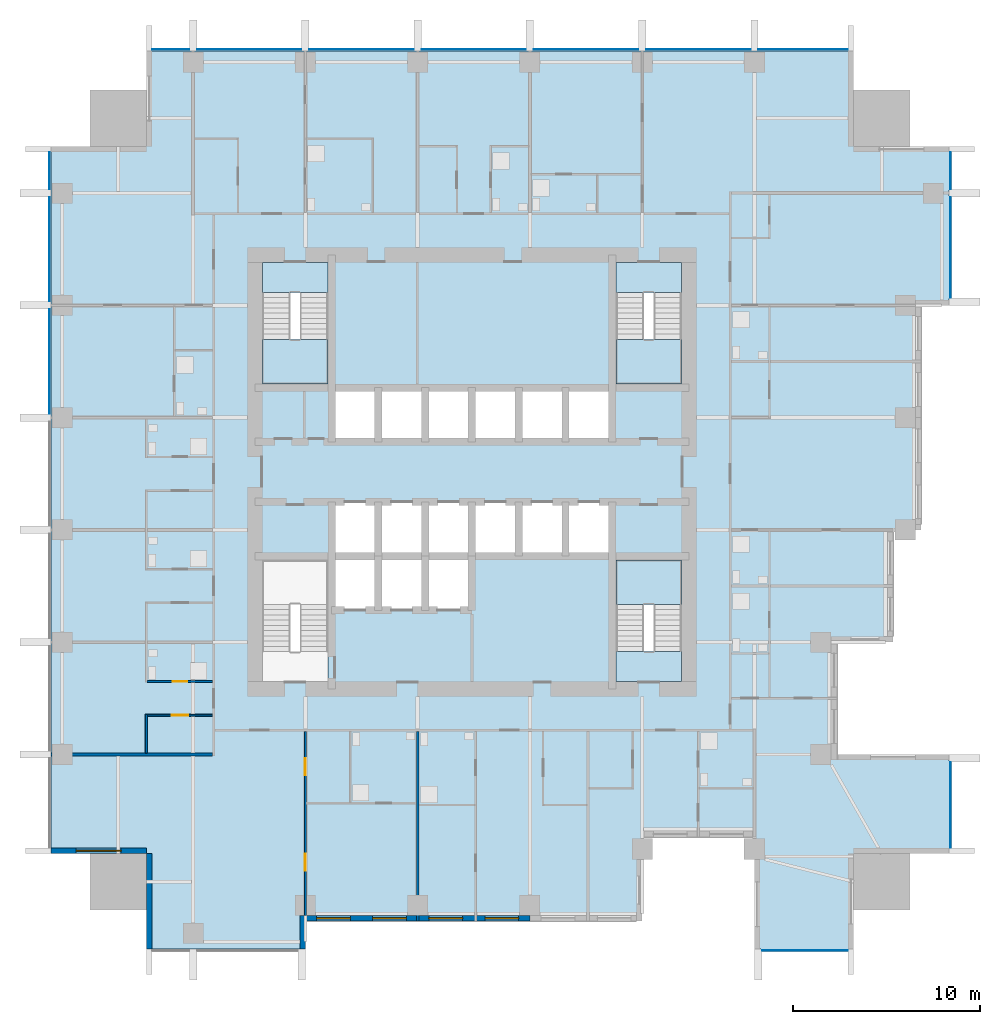
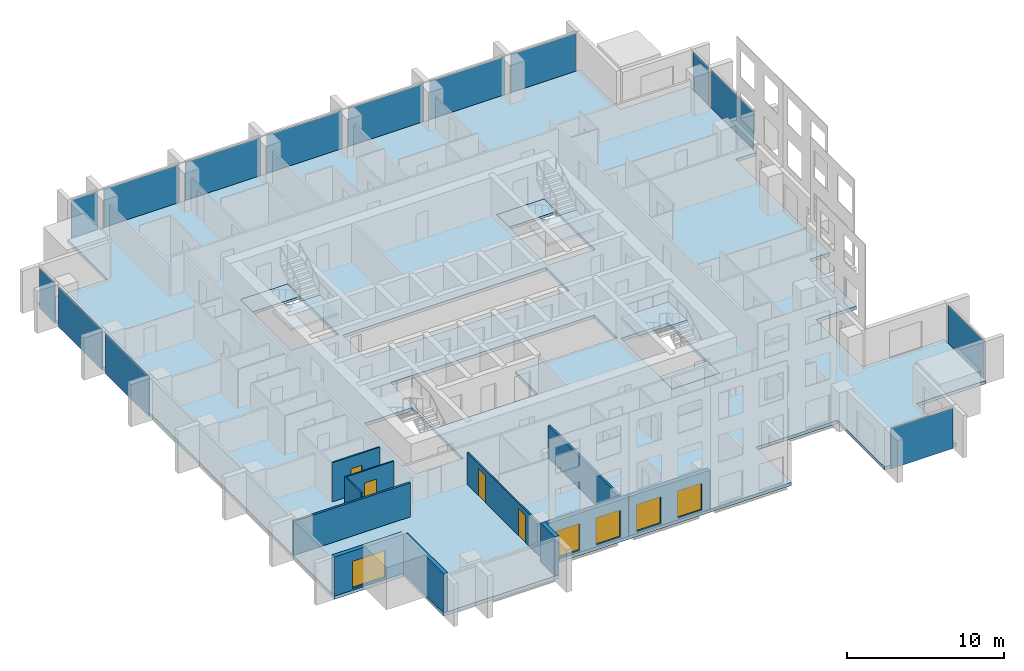
# One storey, part 3 of 11: 14 plates, 11 walls, 7 slabs, 5 windows, 4 doors, 9 openings, 8 elements without a shape of their own.
"""IFC4 building model written with IfcOpenShell, lengths in metres."""

from ifc_helpers import new_model, si_unit, direction, frame, frame_2d, origin, origin_2d, place, context, subcontext, project, spatial, polyline, rectangle, outline, extrude, material, layer, layer_set, type_object, element, fill, aggregate, save


model = new_model("IFC4")

# Units and contexts
model_context = context("Model", 3, precision=1e-05, world=origin(), true_north=direction((0.0, 1.0)))
body_context = subcontext(model_context, "Body", "Model", "MODEL_VIEW")
ifc_project = project(units=[si_unit("LENGTHUNIT", "METRE"), si_unit("AREAUNIT", "SQUARE_METRE"), si_unit("VOLUMEUNIT", "CUBIC_METRE"), si_unit("PLANEANGLEUNIT", "RADIAN"), si_unit("MASSUNIT", "GRAM", prefix="KILO")], contexts=[model_context])

# Site, building, storey
site_placement = place(None, origin())
site = spatial("IfcSite", under=ifc_project, at=site_placement, CompositionType="ELEMENT")
building_placement = place(site_placement, origin())
building = spatial("IfcBuilding", under=site, at=building_placement, Name="Amberfall Residences", CompositionType="ELEMENT")
storey_placement = place(building_placement, frame((0.0, 0.0, 98.5)))
storey = spatial("IfcBuildingStorey", under=building, at=storey_placement, Name="L26", CompositionType="ELEMENT", Elevation=98.5)

# Curtain wall, plate
ifc_material_1 = material(Name="Bronze anodised aluminium and glass", Category="aluminium")
curtain_wall_type = type_object("IfcCurtainWallType", Name="Curtain wall CW1 tower unit", PredefinedType="USERDEFINED", material=ifc_material_1)
curtain_wall_1_placement = place(storey_placement, origin())
curtain_wall_1 = element("IfcCurtainWall", 1, at=curtain_wall_1_placement, inside=storey, type_object=curtain_wall_type, Name="Curtain wall L26 S S9", ObjectType="UNITISED CURTAIN WALL", PredefinedType="USERDEFINED")
ifc_material_2 = material(Name="Tinted double glazed unit", Category="glass")
ifc_layer_1 = layer(ifc_material_2, 0.035888671875)
ifc_layer_set_1 = layer_set([ifc_layer_1], Name="CW1 panel 36 glazing")
plate_type = type_object("IfcPlateType", Name="CW1 panel 36 glazing", PredefinedType="CURTAIN_PANEL", material=ifc_layer_set_1)
plate_1_placement = place(storey_placement, frame((92.300048828125, 19.925048828125, -0.25), z_axis=(0.0, 0.0, 1.0), x_axis=(1.0, 0.0, 0.0)))
plate_1 = element("IfcPlate", 2, at=plate_1_placement, type_object=plate_type, Name="CW1 panel 1.1", PredefinedType="CURTAIN_PANEL", context=body_context, shape_type="SweptSolid", body=[
    extrude(rectangle(XDim=4.575927734375, YDim=0.035888671875, at=origin_2d()), origin(), (0.0, 0.0, 1.0), 3.14990234375),
])
aggregate(curtain_wall_1, [plate_1])

curtain_wall_2_placement = place(storey_placement, origin())
curtain_wall_2 = element("IfcCurtainWall", 3, at=curtain_wall_2_placement, inside=storey, type_object=curtain_wall_type, Name="Curtain wall L26 E E1", ObjectType="UNITISED CURTAIN WALL", PredefinedType="USERDEFINED")
plate_2_placement = place(storey_placement, frame((100.074951171875, 27.699951171875, -0.25), z_axis=(0.0, 0.0, 1.0), x_axis=(0.0, 1.0, 0.0)))
plate_2 = element("IfcPlate", 4, at=plate_2_placement, type_object=plate_type, Name="CW1 panel 1.1", PredefinedType="CURTAIN_PANEL", context=body_context, shape_type="SweptSolid", body=[
    extrude(rectangle(XDim=4.575927734375, YDim=0.035888671875, at=origin_2d()), origin(), (0.0, 0.0, 1.0), 3.14990234375),
])
aggregate(curtain_wall_2, [plate_2])

# Curtain wall, plates
curtain_wall_3_placement = place(storey_placement, origin())
curtain_wall_3 = element("IfcCurtainWall", 5, at=curtain_wall_3_placement, inside=storey, type_object=curtain_wall_type, Name="Curtain wall L26 E E10", ObjectType="UNITISED CURTAIN WALL", PredefinedType="USERDEFINED")
plate_3_placement = place(storey_placement, frame((100.074951171875, 57.5, -0.25), z_axis=(0.0, 0.0, 1.0), x_axis=(0.0, 1.0, 0.0)))
plate_3 = element("IfcPlate", 6, at=plate_3_placement, type_object=plate_type, Name="CW1 panel 1.1", PredefinedType="CURTAIN_PANEL", context=body_context, shape_type="SweptSolid", body=[
    extrude(rectangle(XDim=5.3759765625, YDim=0.035888671875, at=origin_2d()), origin(), (0.0, 0.0, 1.0), 3.14990234375),
])
plate_4_placement = place(storey_placement, frame((100.074951171875, 61.60009765625, -0.25), z_axis=(0.0, 0.0, 1.0), x_axis=(0.0, 1.0, 0.0)))
plate_4 = element("IfcPlate", 7, at=plate_4_placement, type_object=plate_type, Name="CW1 panel 2.1", PredefinedType="CURTAIN_PANEL", context=body_context, shape_type="SweptSolid", body=[
    extrude(rectangle(XDim=1.97607421875, YDim=0.035888671875, at=origin_2d()), origin(), (0.0, 0.0, 1.0), 3.14990234375),
])
aggregate(curtain_wall_3, [plate_3, plate_4])

curtain_wall_4_placement = place(storey_placement, origin())
curtain_wall_4 = element("IfcCurtainWall", 8, at=curtain_wall_4_placement, inside=storey, type_object=curtain_wall_type, Name="Curtain wall L26 N N1", ObjectType="UNITISED CURTAIN WALL", PredefinedType="USERDEFINED")
plate_5_placement = place(storey_placement, frame((92.199951171875, 68.074951171875, -0.25), z_axis=(0.0, 0.0, 1.0), x_axis=(-1.0, 0.0, 0.0)))
plate_5 = element("IfcPlate", 9, at=plate_5_placement, type_object=plate_type, Name="CW1 panel 1.1", PredefinedType="CURTAIN_PANEL", context=body_context, shape_type="SweptSolid", body=[
    extrude(rectangle(XDim=4.77587890625, YDim=0.035888671875, at=origin_2d()), origin(), (0.0, 0.0, 1.0), 3.14990234375),
])
plate_6_placement = place(storey_placement, frame((86.60009765625, 68.074951171875, -0.25), z_axis=(0.0, 0.0, 1.0), x_axis=(-1.0, 0.0, 0.0)))
plate_6 = element("IfcPlate", 10, at=plate_6_placement, type_object=plate_type, Name="CW1 panel 2.1", PredefinedType="CURTAIN_PANEL", context=body_context, shape_type="SweptSolid", body=[
    extrude(rectangle(XDim=5.575927734375, YDim=0.035888671875, at=origin_2d()), origin(), (0.0, 0.0, 1.0), 3.14990234375),
])
plate_7_placement = place(storey_placement, frame((80.60009765625, 68.074951171875, -0.25), z_axis=(0.0, 0.0, 1.0), x_axis=(-1.0, 0.0, 0.0)))
plate_7 = element("IfcPlate", 11, at=plate_7_placement, type_object=plate_type, Name="CW1 panel 3.1", PredefinedType="CURTAIN_PANEL", context=body_context, shape_type="SweptSolid", body=[
    extrude(rectangle(XDim=5.575927734375, YDim=0.035888671875, at=origin_2d()), origin(), (0.0, 0.0, 1.0), 3.14990234375),
])
plate_8_placement = place(storey_placement, frame((74.60009765625, 68.074951171875, -0.25), z_axis=(0.0, 0.0, 1.0), x_axis=(-1.0, 0.0, 0.0)))
plate_8 = element("IfcPlate", 12, at=plate_8_placement, type_object=plate_type, Name="CW1 panel 4.1", PredefinedType="CURTAIN_PANEL", context=body_context, shape_type="SweptSolid", body=[
    extrude(rectangle(XDim=5.575927734375, YDim=0.035888671875, at=origin_2d()), origin(), (0.0, 0.0, 1.0), 3.14990234375),
])
plate_9_placement = place(storey_placement, frame((68.60009765625, 68.074951171875, -0.25), z_axis=(0.0, 0.0, 1.0), x_axis=(-1.0, 0.0, 0.0)))
plate_9 = element("IfcPlate", 13, at=plate_9_placement, type_object=plate_type, Name="CW1 panel 5.1", PredefinedType="CURTAIN_PANEL", context=body_context, shape_type="SweptSolid", body=[
    extrude(rectangle(XDim=5.575927734375, YDim=0.035888671875, at=origin_2d()), origin(), (0.0, 0.0, 1.0), 3.14990234375),
])
plate_10_placement = place(storey_placement, frame((62.60009765625, 68.074951171875, -0.25), z_axis=(0.0, 0.0, 1.0), x_axis=(-1.0, 0.0, 0.0)))
plate_10 = element("IfcPlate", 14, at=plate_10_placement, type_object=plate_type, Name="CW1 panel 6.1", PredefinedType="CURTAIN_PANEL", context=body_context, shape_type="SweptSolid", body=[
    extrude(rectangle(XDim=5.575927734375, YDim=0.035888671875, at=origin_2d()), origin(), (0.0, 0.0, 1.0), 3.14990234375),
])
plate_11_placement = place(storey_placement, frame((58.39990234375, 68.074951171875, -0.25), z_axis=(0.0, 0.0, 1.0), x_axis=(-1.0, 0.0, 0.0)))
plate_11 = element("IfcPlate", 15, at=plate_11_placement, type_object=plate_type, Name="CW1 panel 7.1", PredefinedType="CURTAIN_PANEL", context=body_context, shape_type="SweptSolid", body=[
    extrude(rectangle(XDim=1.97607421875, YDim=0.035888671875, at=origin_2d()), origin(), (0.0, 0.0, 1.0), 3.14990234375),
])
aggregate(curtain_wall_4, [plate_5, plate_6, plate_7, plate_8, plate_9, plate_10, plate_11])

curtain_wall_5_placement = place(storey_placement, origin())
curtain_wall_5 = element("IfcCurtainWall", 16, at=curtain_wall_5_placement, inside=storey, type_object=curtain_wall_type, Name="Curtain wall L26 W W1", ObjectType="UNITISED CURTAIN WALL", PredefinedType="USERDEFINED")
plate_12_placement = place(storey_placement, frame((51.925048828125, 61.60009765625, -0.25), z_axis=(0.0, 0.0, 1.0), x_axis=(0.0, -1.0, 0.0)))
plate_12 = element("IfcPlate", 17, at=plate_12_placement, type_object=plate_type, Name="CW1 panel 1.1", PredefinedType="CURTAIN_PANEL", context=body_context, shape_type="SweptSolid", body=[
    extrude(rectangle(XDim=1.97607421875, YDim=0.035888671875, at=origin_2d()), origin(), (0.0, 0.0, 1.0), 3.14990234375),
])
plate_13_placement = place(storey_placement, frame((51.925048828125, 57.39990234375, -0.25), z_axis=(0.0, 0.0, 1.0), x_axis=(0.0, -1.0, 0.0)))
plate_13 = element("IfcPlate", 18, at=plate_13_placement, type_object=plate_type, Name="CW1 panel 2.1", PredefinedType="CURTAIN_PANEL", context=body_context, shape_type="SweptSolid", body=[
    extrude(rectangle(XDim=5.575927734375, YDim=0.035888671875, at=origin_2d()), origin(), (0.0, 0.0, 1.0), 3.14990234375),
])
plate_14_placement = place(storey_placement, frame((51.925048828125, 51.39990234375, -0.25), z_axis=(0.0, 0.0, 1.0), x_axis=(0.0, -1.0, 0.0)))
plate_14 = element("IfcPlate", 19, at=plate_14_placement, type_object=plate_type, Name="CW1 panel 3.1", PredefinedType="CURTAIN_PANEL", context=body_context, shape_type="SweptSolid", body=[
    extrude(rectangle(XDim=5.575927734375, YDim=0.035888671875, at=origin_2d()), origin(), (0.0, 0.0, 1.0), 3.14990234375),
])
aggregate(curtain_wall_5, [plate_12, plate_13, plate_14])

# Slab
ifc_material_3 = material(Name="Concrete C70", Category="concrete")
ifc_layer_2 = layer(ifc_material_3, 0.25)
ifc_layer_set_2 = layer_set([ifc_layer_2], Name="Floor slab 250 C70")
slab_type_1 = type_object("IfcSlabType", Name="Floor slab 250 C70", PredefinedType="FLOOR", material=ifc_layer_set_2)
slab_1_placement = place(storey_placement, frame((0.0, 0.0, -0.25)))
element("IfcSlab", 20, at=slab_1_placement, inside=storey, type_object=slab_type_1, Name="Floor slab S7 L26", PredefinedType="FLOOR", context=body_context, shape_type="SweptSolid", body=[
    extrude(outline(polyline([(89.60009765625, 20.0), (89.60009765625, 26.0), (83.60009765625, 26.0), (83.60009765625, 21.5), (77.60009765625, 21.5), (71.60009765625, 21.5), (65.60009765625, 21.5), (65.60009765625, 20.0), (57.10009765625, 20.0), (57.10009765625, 25.10009765625), (52.0, 25.10009765625), (52.0, 62.89990234375), (57.10009765625, 62.89990234375), (57.10009765625, 68.0), (94.89990234375, 68.0), (94.89990234375, 62.89990234375), (100.0, 62.89990234375), (100.0, 54.39990234375), (98.5, 54.39990234375), (98.5, 48.39990234375), (98.5, 42.39990234375), (97.0, 42.39990234375), (97.0, 36.39990234375), (94.0, 36.39990234375), (94.0, 30.39990234375), (100.0, 30.39990234375), (100.0, 25.10009765625), (94.89990234375, 25.10009765625), (94.89990234375, 20.0), (89.60009765625, 20.0)]), holes=[polyline([(85.699951171875, 34.300048828125), (85.699951171875, 40.800048828125), (82.199951171875, 40.800048828125), (82.199951171875, 34.300048828125), (85.699951171875, 34.300048828125)]), polyline([(82.199951171875, 50.199951171875), (85.699951171875, 50.199951171875), (85.699951171875, 56.699951171875), (82.199951171875, 56.699951171875), (82.199951171875, 50.199951171875)]), polyline([(69.5, 50.0), (67.0, 50.0), (67.0, 47.10009765625), (69.5, 47.10009765625), (72.0, 47.10009765625), (74.5, 47.10009765625), (77.0, 47.10009765625), (79.5, 47.10009765625), (82.0, 47.10009765625), (82.0, 50.0), (79.5, 50.0), (77.0, 50.0), (74.5, 50.0), (72.0, 50.0), (69.5, 50.0)]), polyline([(74.5, 41.0), (77.0, 41.0), (79.5, 41.0), (82.0, 41.0), (82.0, 43.89990234375), (79.5, 43.89990234375), (77.0, 43.89990234375), (74.5, 43.89990234375), (72.0, 43.89990234375), (69.5, 43.89990234375), (67.0, 43.89990234375), (67.0, 41.0), (67.0, 38.10009765625), (69.5, 38.10009765625), (72.0, 38.10009765625), (74.5, 38.10009765625), (74.5, 41.0)]), polyline([(66.800048828125, 34.300048828125), (66.800048828125, 40.800048828125), (63.300048828125, 40.800048828125), (63.300048828125, 34.300048828125), (66.800048828125, 34.300048828125)]), polyline([(66.800048828125, 50.199951171875), (66.800048828125, 56.699951171875), (63.300048828125, 56.699951171875), (63.300048828125, 50.199951171875), (66.800048828125, 50.199951171875)])]), origin(), (0.0, 0.0, 1.0), 0.25),
])

# Stair, slabs
ifc_material_4 = material(Name="Concrete C40", Category="concrete")
stair_type = type_object("IfcStairType", Name="Exit stair 20 risers 165.0 mm", PredefinedType="HALF_TURN_STAIR", material=ifc_material_4)
stair_1_placement = place(storey_placement, origin())
stair_1 = element("IfcStair", 21, at=stair_1_placement, inside=storey, type_object=stair_type, Name="L26 Exit stair 2", PredefinedType="HALF_TURN_STAIR")
ifc_layer_3 = layer(ifc_material_4, 0.199951171875)
ifc_layer_set_3 = layer_set([ifc_layer_3], Name="Stair landing 200")
slab_type_2 = type_object("IfcSlabType", Name="Stair landing 200", PredefinedType="LANDING", material=ifc_layer_set_3)
slab_2_placement = place(storey_placement, frame((0.0, 0.0, 1.449951171875)))
slab_2 = element("IfcSlab", 22, at=slab_2_placement, type_object=slab_type_2, Name="ST3 landing 1", PredefinedType="LANDING", context=body_context, shape_type="SweptSolid", body=[
    extrude(outline(polyline([(85.699951171875, 38.419921875), (85.699951171875, 40.800048828125), (82.199951171875, 40.800048828125), (82.199951171875, 38.419921875), (85.699951171875, 38.419921875)])), origin(), (0.0, 0.0, 1.0), 0.199951171875),
])
slab_3_placement = place(storey_placement, frame((0.0, 0.0, -0.199951171875)))
slab_3 = element("IfcSlab", 23, at=slab_3_placement, type_object=slab_type_2, Name="ST3 landing 2", PredefinedType="LANDING", context=body_context, shape_type="SweptSolid", body=[
    extrude(outline(polyline([(85.699951171875, 34.300048828125), (85.699951171875, 35.89990234375), (82.199951171875, 35.89990234375), (82.199951171875, 34.300048828125), (85.699951171875, 34.300048828125)])), origin(), (0.0, 0.0, 1.0), 0.199951171875),
])
aggregate(stair_1, [slab_2, slab_3])

stair_2_placement = place(storey_placement, origin())
stair_2 = element("IfcStair", 24, at=stair_2_placement, inside=storey, type_object=stair_type, Name="L26 Exit stair 3", PredefinedType="HALF_TURN_STAIR")
slab_4_placement = place(storey_placement, frame((0.0, 0.0, 1.449951171875)))
slab_4 = element("IfcSlab", 25, at=slab_4_placement, type_object=slab_type_2, Name="ST3 landing 1", PredefinedType="LANDING", context=body_context, shape_type="SweptSolid", body=[
    extrude(outline(polyline([(82.199951171875, 52.580078125), (82.199951171875, 50.199951171875), (85.699951171875, 50.199951171875), (85.699951171875, 52.580078125), (82.199951171875, 52.580078125)])), origin(), (0.0, 0.0, 1.0), 0.199951171875),
])
slab_5_placement = place(storey_placement, frame((0.0, 0.0, -0.199951171875)))
slab_5 = element("IfcSlab", 26, at=slab_5_placement, type_object=slab_type_2, Name="ST3 landing 2", PredefinedType="LANDING", context=body_context, shape_type="SweptSolid", body=[
    extrude(outline(polyline([(82.199951171875, 56.699951171875), (82.199951171875, 55.10009765625), (85.699951171875, 55.10009765625), (85.699951171875, 56.699951171875), (82.199951171875, 56.699951171875)])), origin(), (0.0, 0.0, 1.0), 0.199951171875),
])
aggregate(stair_2, [slab_4, slab_5])

stair_3_placement = place(storey_placement, origin())
stair_3 = element("IfcStair", 27, at=stair_3_placement, inside=storey, type_object=stair_type, Name="L26 Exit stair 4", PredefinedType="HALF_TURN_STAIR")
slab_6_placement = place(storey_placement, frame((0.0, 0.0, 1.449951171875)))
slab_6 = element("IfcSlab", 28, at=slab_6_placement, type_object=slab_type_2, Name="ST3 landing 1", PredefinedType="LANDING", context=body_context, shape_type="SweptSolid", body=[
    extrude(outline(polyline([(63.300048828125, 52.580078125), (63.300048828125, 50.199951171875), (66.800048828125, 50.199951171875), (66.800048828125, 52.580078125), (63.300048828125, 52.580078125)])), origin(), (0.0, 0.0, 1.0), 0.199951171875),
])
slab_7_placement = place(storey_placement, frame((0.0, 0.0, -0.199951171875)))
slab_7 = element("IfcSlab", 29, at=slab_7_placement, type_object=slab_type_2, Name="ST3 landing 2", PredefinedType="LANDING", context=body_context, shape_type="SweptSolid", body=[
    extrude(outline(polyline([(63.300048828125, 56.699951171875), (63.300048828125, 55.10009765625), (66.800048828125, 55.10009765625), (66.800048828125, 56.699951171875), (63.300048828125, 56.699951171875)])), origin(), (0.0, 0.0, 1.0), 0.199951171875),
])
aggregate(stair_3, [slab_6, slab_7])

# Wall
ifc_material_5 = material(Name="Pale stone cladding on insulated backing", Category="masonry")
ifc_layer_4 = layer(ifc_material_5, 0.300048828125)
ifc_layer_set_4 = layer_set([ifc_layer_4], Name="Bronze clad wall 300")
wall_type_1 = type_object("IfcWallType", Name="Bronze clad wall 300", PredefinedType="SOLIDWALL", material=ifc_layer_set_4)
wall_1_placement = place(storey_placement, frame((65.449951171875, 20.0, 0.0), z_axis=(0.0, 0.0, 1.0), x_axis=(0.0, 1.0, 0.0)))
element("IfcWall", 30, at=wall_1_placement, inside=storey, type_object=wall_type_1, Name="External wall L26 S", PredefinedType="SOLIDWALL", context=body_context, shape_type="SweptSolid", body=[
    extrude(rectangle(XDim=1.800048828125, YDim=0.300048828125, at=frame_2d((0.89990234375, 0.0))), origin(), (0.0, 0.0, 1.0), 3.050048828125),
])

# Wall, opening, window
wall_2_placement = place(storey_placement, frame((52.0, 25.25, 0.0), z_axis=(0.0, 0.0, 1.0), x_axis=(1.0, 0.0, 0.0)))
wall_2 = element("IfcWall", 31, at=wall_2_placement, inside=storey, type_object=wall_type_1, Name="External wall L26 SW", PredefinedType="SOLIDWALL", context=body_context, shape_type="SweptSolid", body=[
    extrude(rectangle(XDim=5.10009765625, YDim=0.300048828125, at=frame_2d((2.550048828125, 0.0))), origin(), (0.0, 0.0, 1.0), 3.050048828125),
])
opening_1_placement = place(wall_2_placement, frame((1.35009765625, 0.0, 0.14990234375)))
opening_1 = element("IfcOpeningElement", 32, at=opening_1_placement, cuts=wall_2, Name="Opening WN5", PredefinedType="OPENING", context=body_context, shape_type="SweptSolid", body=[
    extrude(rectangle(XDim=2.39990234375, YDim=2.10009765625, at=frame_2d((1.199951171875, 1.050048828125))), frame((0.0, 0.159912109375, 0.0), z_axis=(0.0, -1.0, 0.0), x_axis=(1.0, 0.0, 0.0)), (0.0, 0.0, 1.0), 0.320068359375),
])
ifc_material_6 = material(Name="Bronze aluminium framed glazing", Category="aluminium")
window_type_1 = type_object("IfcWindowType", Name="Glazed opening 2400 x 2100 bronze", PartitioningType="DOUBLE_PANEL_VERTICAL", PredefinedType="WINDOW", material=ifc_material_6)
window_1_placement = place(opening_1_placement, origin())
window_1 = element("IfcWindow", 33, at=window_1_placement, inside=storey, type_object=window_type_1, Name="Window L26 SW", OverallHeight=2.10009765625, OverallWidth=2.39990234375, PartitioningType="DOUBLE_PANEL_VERTICAL", PredefinedType="WINDOW", context=body_context, shape_type="SweptSolid", body=[
    extrude(rectangle(XDim=2.39990234375, YDim=2.10009765625, at=frame_2d((1.199951171875, 1.050048828125))), frame((0.0, 0.030029296875, 0.0), z_axis=(0.0, -1.0, 0.0), x_axis=(1.0, 0.0, 0.0)), (0.0, 0.0, 1.0), 0.06005859375),
])
fill(opening_1, window_1)

# Wall
wall_3_placement = place(storey_placement, frame((57.25, 25.10009765625, 0.0), z_axis=(0.0, 0.0, 1.0), x_axis=(0.0, -1.0, 0.0)))
element("IfcWall", 34, at=wall_3_placement, inside=storey, type_object=wall_type_1, Name="External wall L26 SW", PredefinedType="SOLIDWALL", context=body_context, shape_type="SweptSolid", body=[
    extrude(rectangle(XDim=5.10009765625, YDim=0.300048828125, at=frame_2d((2.550048828125, 0.0))), origin(), (0.0, 0.0, 1.0), 3.050048828125),
])

# Wall, openings, windows
wall_4_placement = place(storey_placement, frame((65.60009765625, 21.64990234375, 0.0), z_axis=(0.0, 0.0, 1.0), x_axis=(1.0, 0.0, 0.0)))
wall_4 = element("IfcWall", 35, at=wall_4_placement, inside=storey, type_object=wall_type_1, Name="Stone wall L26 S", PredefinedType="SOLIDWALL", context=body_context, shape_type="SweptSolid", body=[
    extrude(rectangle(XDim=6.0, YDim=0.300048828125, at=frame_2d((3.0, 0.0))), origin(), (0.0, 0.0, 1.0), 3.050048828125),
])
opening_2_placement = place(wall_4_placement, frame((0.60009765625, 0.0, 0.14990234375)))
opening_2 = element("IfcOpeningElement", 36, at=opening_2_placement, cuts=wall_4, Name="Opening WN6", PredefinedType="OPENING", context=body_context, shape_type="SweptSolid", body=[
    extrude(rectangle(XDim=1.800048828125, YDim=2.10009765625, at=frame_2d((0.89990234375, 1.050048828125))), frame((0.0, 0.159912109375, 0.0), z_axis=(0.0, -1.0, 0.0), x_axis=(1.0, 0.0, 0.0)), (0.0, 0.0, 1.0), 0.320068359375),
])
opening_3_placement = place(wall_4_placement, frame((3.60009765625, 0.0, 0.14990234375)))
opening_3 = element("IfcOpeningElement", 37, at=opening_3_placement, cuts=wall_4, Name="Opening WN6", PredefinedType="OPENING", context=body_context, shape_type="SweptSolid", body=[
    extrude(rectangle(XDim=1.800048828125, YDim=2.10009765625, at=frame_2d((0.89990234375, 1.050048828125))), frame((0.0, 0.159912109375, 0.0), z_axis=(0.0, -1.0, 0.0), x_axis=(1.0, 0.0, 0.0)), (0.0, 0.0, 1.0), 0.320068359375),
])
window_type_2 = type_object("IfcWindowType", Name="Glazed opening 1800 x 2100 bronze", PartitioningType="DOUBLE_PANEL_VERTICAL", PredefinedType="WINDOW", material=ifc_material_6)
window_2_placement = place(opening_2_placement, origin())
window_2 = element("IfcWindow", 38, at=window_2_placement, inside=storey, type_object=window_type_2, Name="Window L26 S", OverallHeight=2.10009765625, OverallWidth=1.800048828125, PartitioningType="DOUBLE_PANEL_VERTICAL", PredefinedType="WINDOW", context=body_context, shape_type="SweptSolid", body=[
    extrude(rectangle(XDim=1.800048828125, YDim=2.10009765625, at=frame_2d((0.89990234375, 1.050048828125))), frame((0.0, 0.030029296875, 0.0), z_axis=(0.0, -1.0, 0.0), x_axis=(1.0, 0.0, 0.0)), (0.0, 0.0, 1.0), 0.06005859375),
])
fill(opening_2, window_2)
window_3_placement = place(opening_3_placement, origin())
window_3 = element("IfcWindow", 39, at=window_3_placement, inside=storey, type_object=window_type_2, Name="Window L26 S", OverallHeight=2.10009765625, OverallWidth=1.800048828125, PartitioningType="DOUBLE_PANEL_VERTICAL", PredefinedType="WINDOW", context=body_context, shape_type="SweptSolid", body=[
    extrude(rectangle(XDim=1.800048828125, YDim=2.10009765625, at=frame_2d((0.89990234375, 1.050048828125))), frame((0.0, 0.030029296875, 0.0), z_axis=(0.0, -1.0, 0.0), x_axis=(1.0, 0.0, 0.0)), (0.0, 0.0, 1.0), 0.06005859375),
])
fill(opening_3, window_3)

wall_5_placement = place(storey_placement, frame((71.60009765625, 21.64990234375, 0.0), z_axis=(0.0, 0.0, 1.0), x_axis=(1.0, 0.0, 0.0)))
wall_5 = element("IfcWall", 40, at=wall_5_placement, inside=storey, type_object=wall_type_1, Name="Stone wall L26 S", PredefinedType="SOLIDWALL", context=body_context, shape_type="SweptSolid", body=[
    extrude(rectangle(XDim=6.0, YDim=0.300048828125, at=frame_2d((3.0, 0.0))), origin(), (0.0, 0.0, 1.0), 3.050048828125),
])
opening_4_placement = place(wall_5_placement, frame((0.60009765625, 0.0, 0.14990234375)))
opening_4 = element("IfcOpeningElement", 41, at=opening_4_placement, cuts=wall_5, Name="Opening WN6", PredefinedType="OPENING", context=body_context, shape_type="SweptSolid", body=[
    extrude(rectangle(XDim=1.800048828125, YDim=2.10009765625, at=frame_2d((0.89990234375, 1.050048828125))), frame((0.0, 0.159912109375, 0.0), z_axis=(0.0, -1.0, 0.0), x_axis=(1.0, 0.0, 0.0)), (0.0, 0.0, 1.0), 0.320068359375),
])
opening_5_placement = place(wall_5_placement, frame((3.60009765625, 0.0, 0.14990234375)))
opening_5 = element("IfcOpeningElement", 42, at=opening_5_placement, cuts=wall_5, Name="Opening WN6", PredefinedType="OPENING", context=body_context, shape_type="SweptSolid", body=[
    extrude(rectangle(XDim=1.800048828125, YDim=2.10009765625, at=frame_2d((0.89990234375, 1.050048828125))), frame((0.0, 0.159912109375, 0.0), z_axis=(0.0, -1.0, 0.0), x_axis=(1.0, 0.0, 0.0)), (0.0, 0.0, 1.0), 0.320068359375),
])
window_4_placement = place(opening_4_placement, origin())
window_4 = element("IfcWindow", 43, at=window_4_placement, inside=storey, type_object=window_type_2, Name="Window L26 S", OverallHeight=2.10009765625, OverallWidth=1.800048828125, PartitioningType="DOUBLE_PANEL_VERTICAL", PredefinedType="WINDOW", context=body_context, shape_type="SweptSolid", body=[
    extrude(rectangle(XDim=1.800048828125, YDim=2.10009765625, at=frame_2d((0.89990234375, 1.050048828125))), frame((0.0, 0.030029296875, 0.0), z_axis=(0.0, -1.0, 0.0), x_axis=(1.0, 0.0, 0.0)), (0.0, 0.0, 1.0), 0.06005859375),
])
fill(opening_4, window_4)
window_5_placement = place(opening_5_placement, origin())
window_5 = element("IfcWindow", 44, at=window_5_placement, inside=storey, type_object=window_type_2, Name="Window L26 S", OverallHeight=2.10009765625, OverallWidth=1.800048828125, PartitioningType="DOUBLE_PANEL_VERTICAL", PredefinedType="WINDOW", context=body_context, shape_type="SweptSolid", body=[
    extrude(rectangle(XDim=1.800048828125, YDim=2.10009765625, at=frame_2d((0.89990234375, 1.050048828125))), frame((0.0, 0.030029296875, 0.0), z_axis=(0.0, -1.0, 0.0), x_axis=(1.0, 0.0, 0.0)), (0.0, 0.0, 1.0), 0.06005859375),
])
fill(opening_5, window_5)

# Wall
ifc_material_7 = material(Name="Gypsum board on metal stud")
ifc_layer_5 = layer(ifc_material_7, 0.10009765625)
ifc_layer_set_5 = layer_set([ifc_layer_5], Name="Flat partition 100")
wall_type_2 = type_object("IfcWallType", Name="Flat partition 100", PredefinedType="PARTITIONING", material=ifc_layer_set_5)
wall_6_placement = place(storey_placement, frame((57.10009765625, 30.47509765625, 0.0), z_axis=(0.0, 0.0, 1.0), x_axis=(0.0, 1.0, 0.0)))
element("IfcWall", 45, at=wall_6_placement, inside=storey, type_object=wall_type_2, Name="Partition 001", PredefinedType="PARTITIONING", context=body_context, shape_type="SweptSolid", body=[
    extrude(rectangle(XDim=2.074951171875, YDim=0.10009765625, at=frame_2d((1.03759765625, 0.0))), origin(), (0.0, 0.0, 1.0), 3.050048828125),
])

# Wall, openings, doors
wall_7_placement = place(storey_placement, frame((65.60009765625, 31.625, 0.0), z_axis=(0.0, 0.0, 1.0), x_axis=(0.0, -1.0, 0.0)))
wall_7 = element("IfcWall", 46, at=wall_7_placement, inside=storey, type_object=wall_type_2, Name="Partition 007", PredefinedType="PARTITIONING", context=body_context, shape_type="SweptSolid", body=[
    extrude(rectangle(XDim=10.125, YDim=0.10009765625, at=frame_2d((5.0625, 0.0))), origin(), (0.0, 0.0, 1.0), 2.51611328125),
])
opening_6_placement = place(wall_7_placement, frame((1.425048828125, 0.0, 0.0)))
opening_6 = element("IfcOpeningElement", 47, at=opening_6_placement, cuts=wall_7, Name="Opening D41", PredefinedType="OPENING", context=body_context, shape_type="SweptSolid", body=[
    extrude(rectangle(XDim=0.89990234375, YDim=2.10009765625, at=frame_2d((0.449951171875, 1.050048828125))), frame((0.0, 0.06005859375, 0.0), z_axis=(0.0, -1.0, 0.0), x_axis=(1.0, 0.0, 0.0)), (0.0, 0.0, 1.0), 0.1201171875),
])
opening_7_placement = place(wall_7_placement, frame((6.52490234375, 0.0, 0.0)))
opening_7 = element("IfcOpeningElement", 48, at=opening_7_placement, cuts=wall_7, Name="Opening D41", PredefinedType="OPENING", context=body_context, shape_type="SweptSolid", body=[
    extrude(rectangle(XDim=0.89990234375, YDim=2.10009765625, at=frame_2d((0.449951171875, 1.050048828125))), frame((0.0, 0.06005859375, 0.0), z_axis=(0.0, -1.0, 0.0), x_axis=(1.0, 0.0, 0.0)), (0.0, 0.0, 1.0), 0.1201171875),
])
ifc_material_8 = material(Name="Timber", Category="wood")
door_type_1 = type_object("IfcDoorType", Name="Internal door 900 x 2100", OperationType="SINGLE_SWING_LEFT", PredefinedType="DOOR", material=ifc_material_8)
door_1_placement = place(opening_6_placement, origin())
door_1 = element("IfcDoor", 49, at=door_1_placement, inside=storey, type_object=door_type_1, Name="Door 2601 kitchen", OperationType="SINGLE_SWING_LEFT", OverallHeight=2.10009765625, OverallWidth=0.89990234375, PredefinedType="DOOR", context=body_context, shape_type="SweptSolid", body=[
    extrude(rectangle(XDim=0.89990234375, YDim=2.10009765625, at=frame_2d((0.449951171875, 1.050048828125))), frame((0.0, 0.02490234375, 0.0), z_axis=(0.0, -1.0, 0.0), x_axis=(1.0, 0.0, 0.0)), (0.0, 0.0, 1.0), 0.050048828125),
])
fill(opening_6, door_1)
door_2_placement = place(opening_7_placement, origin())
door_2 = element("IfcDoor", 50, at=door_2_placement, inside=storey, type_object=door_type_1, Name="Door 2601 bedroom1", OperationType="SINGLE_SWING_LEFT", OverallHeight=2.10009765625, OverallWidth=0.89990234375, PredefinedType="DOOR", context=body_context, shape_type="SweptSolid", body=[
    extrude(rectangle(XDim=0.89990234375, YDim=2.10009765625, at=frame_2d((0.449951171875, 1.050048828125))), frame((0.0, 0.02490234375, 0.0), z_axis=(0.0, -1.0, 0.0), x_axis=(1.0, 0.0, 0.0)), (0.0, 0.0, 1.0), 0.050048828125),
])
fill(opening_7, door_2)

# Wall, opening, door
wall_8_placement = place(storey_placement, frame((57.14990234375, 34.300048828125, 0.0), z_axis=(0.0, 0.0, 1.0), x_axis=(1.0, 0.0, 0.0)))
wall_8 = element("IfcWall", 51, at=wall_8_placement, inside=storey, type_object=wall_type_2, Name="Partition 038", PredefinedType="PARTITIONING", context=body_context, shape_type="SweptSolid", body=[
    extrude(rectangle(XDim=3.47509765625, YDim=0.10009765625, at=frame_2d((1.737548828125, 0.0))), origin(), (0.0, 0.0, 1.0), 3.050048828125),
])
opening_8_placement = place(wall_8_placement, frame((1.35009765625, 0.0, 0.0)))
opening_8 = element("IfcOpeningElement", 52, at=opening_8_placement, cuts=wall_8, Name="Opening D42", PredefinedType="OPENING", context=body_context, shape_type="SweptSolid", body=[
    extrude(rectangle(XDim=0.800048828125, YDim=2.10009765625, at=frame_2d((0.39990234375, 1.050048828125))), frame((0.0, 0.06005859375, 0.0), z_axis=(0.0, -1.0, 0.0), x_axis=(1.0, 0.0, 0.0)), (0.0, 0.0, 1.0), 0.1201171875),
])
door_type_2 = type_object("IfcDoorType", Name="Bathroom door 800 x 2100", OperationType="SINGLE_SWING_LEFT", PredefinedType="DOOR", material=ifc_material_8)
door_3_placement = place(opening_8_placement, origin())
door_3 = element("IfcDoor", 53, at=door_3_placement, inside=storey, type_object=door_type_2, Name="Door 2610 bath1", OperationType="SINGLE_SWING_LEFT", OverallHeight=2.10009765625, OverallWidth=0.800048828125, PredefinedType="DOOR", context=body_context, shape_type="SweptSolid", body=[
    extrude(rectangle(XDim=0.800048828125, YDim=2.10009765625, at=frame_2d((0.39990234375, 1.050048828125))), frame((0.0, 0.02490234375, 0.0), z_axis=(0.0, -1.0, 0.0), x_axis=(1.0, 0.0, 0.0)), (0.0, 0.0, 1.0), 0.050048828125),
])
fill(opening_8, door_3)

wall_9_placement = place(storey_placement, frame((60.625, 32.5, 0.0), z_axis=(0.0, 0.0, 1.0), x_axis=(-1.0, 0.0, 0.0)))
wall_9 = element("IfcWall", 54, at=wall_9_placement, inside=storey, type_object=wall_type_2, Name="Partition 040", PredefinedType="PARTITIONING", context=body_context, shape_type="SweptSolid", body=[
    extrude(rectangle(XDim=3.47509765625, YDim=0.10009765625, at=frame_2d((1.737548828125, 0.0))), origin(), (0.0, 0.0, 1.0), 3.050048828125),
])
opening_9_placement = place(wall_9_placement, frame((1.27490234375, 0.0, 0.0)))
opening_9 = element("IfcOpeningElement", 55, at=opening_9_placement, cuts=wall_9, Name="Opening D41", PredefinedType="OPENING", context=body_context, shape_type="SweptSolid", body=[
    extrude(rectangle(XDim=0.89990234375, YDim=2.10009765625, at=frame_2d((0.449951171875, 1.050048828125))), frame((0.0, 0.06005859375, 0.0), z_axis=(0.0, -1.0, 0.0), x_axis=(1.0, 0.0, 0.0)), (0.0, 0.0, 1.0), 0.1201171875),
])
door_4_placement = place(opening_9_placement, origin())
door_4 = element("IfcDoor", 56, at=door_4_placement, inside=storey, type_object=door_type_1, Name="Door 2610 kitchen", OperationType="SINGLE_SWING_LEFT", OverallHeight=2.10009765625, OverallWidth=0.89990234375, PredefinedType="DOOR", context=body_context, shape_type="SweptSolid", body=[
    extrude(rectangle(XDim=0.89990234375, YDim=2.10009765625, at=frame_2d((0.449951171875, 1.050048828125))), frame((0.0, 0.02490234375, 0.0), z_axis=(0.0, -1.0, 0.0), x_axis=(1.0, 0.0, 0.0)), (0.0, 0.0, 1.0), 0.050048828125),
])
fill(opening_9, door_4)

# Walls
ifc_material_9 = material(Name="Blockwork, plastered", Category="masonry")
ifc_layer_6 = layer(ifc_material_9, 0.14990234375)
ifc_layer_set_6 = layer_set([ifc_layer_6], Name="Flat separating wall 150")
wall_type_3 = type_object("IfcWallType", Name="Flat separating wall 150", PredefinedType="PARTITIONING", material=ifc_layer_set_6)
wall_10_placement = place(storey_placement, frame((71.60009765625, 21.5, 0.0), z_axis=(0.0, 0.0, 1.0), x_axis=(0.0, 1.0, 0.0)))
element("IfcWall", 57, at=wall_10_placement, inside=storey, type_object=wall_type_3, Name="Separating wall 048", PredefinedType="PARTITIONING", context=body_context, shape_type="SweptSolid", body=[
    extrude(rectangle(XDim=10.125, YDim=0.14990234375, at=frame_2d((5.0625, 0.0))), origin(), (0.0, 0.0, 1.0), 2.51611328125),
])
wall_11_placement = place(storey_placement, frame((52.0, 30.39990234375, 0.0), z_axis=(0.0, 0.0, 1.0), x_axis=(1.0, 0.0, 0.0)))
element("IfcWall", 58, at=wall_11_placement, inside=storey, type_object=wall_type_3, Name="Separating wall 062", PredefinedType="PARTITIONING", context=body_context, shape_type="SweptSolid", body=[
    extrude(rectangle(XDim=8.625, YDim=0.14990234375, at=frame_2d((4.3125, 0.0))), origin(), (0.0, 0.0, 1.0), 2.64697265625),
])

save(model, "model.ifc")
